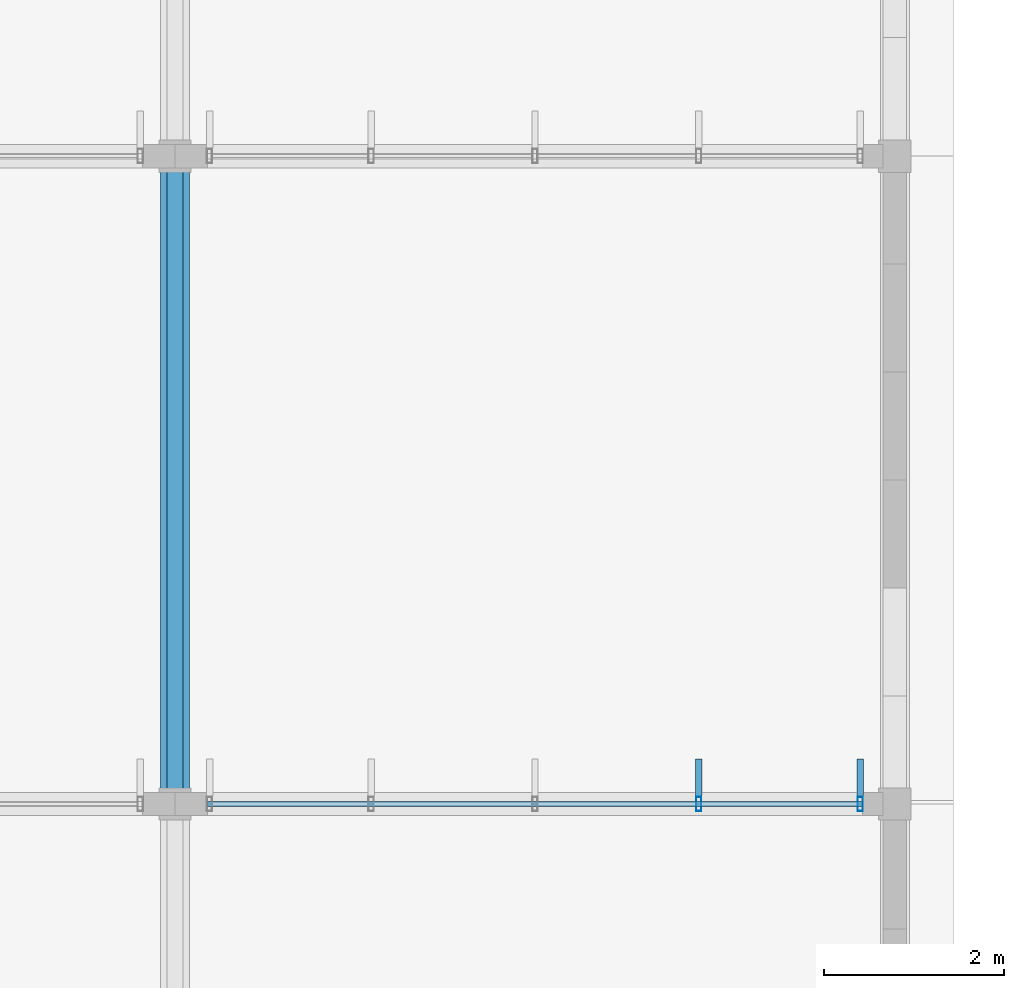
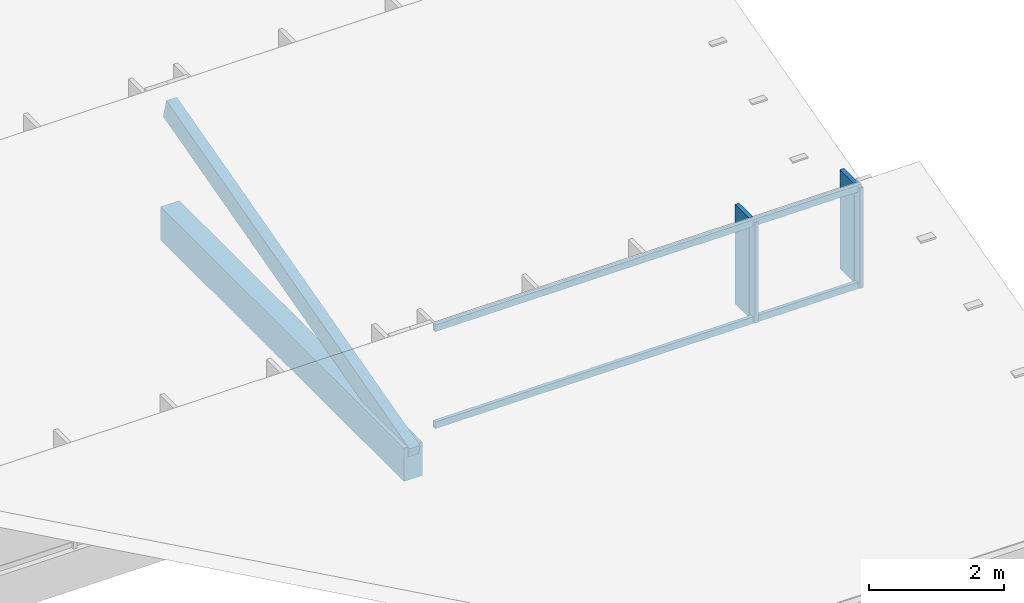
# One storey, part 11 of 94: 8 members, 1 element without a shape of its own.
"""IFC4 building model written with IfcOpenShell, lengths in metres."""

import ifcopenshell
import ifcopenshell.guid

model = None  # the IFC model being written
_history = None  # IfcOwnerHistory: only IFC2X3 demands one
_inside = {}  # id of a spatial element -> (the spatial element, [elements in it])
_under = {}  # id of a project, library or spatial element -> (it, [spatial elements below it])
_declared = {}  # id of a project -> (the project, [libraries it declares])
_typed = {}  # id of a type object -> (the type object, [elements of that type])
_made_of = {}  # id of a material, layer set ... -> (it, [elements and type objects made of it])


def new_model(schema):
    """Start an empty IFC model of exactly this schema.

    Asked for "IFC4X3", IfcOpenShell would pick the latest addendum, in which some entities
    have other attributes; the version numbers below select the first issue.
    IFC2X3 requires an IfcOwnerHistory on every rooted entity: one is made here for all.
    """
    global model, _history
    if schema == "IFC4X3":
        model = ifcopenshell.file(schema_version=(4, 3, 0, 0))
    else:
        model = ifcopenshell.file(schema=schema)
    _inside.clear()
    _under.clear()
    _declared.clear()
    _typed.clear()
    _made_of.clear()
    _history = None
    if model.schema == "IFC2X3":
        org = make("IfcOrganization", Name="unknown")
        user = make(
            "IfcPersonAndOrganization",
            ThePerson=make("IfcPerson", FamilyName="unknown"),
            TheOrganization=org,
        )
        app = make(
            "IfcApplication",
            ApplicationDeveloper=org,
            Version="unknown",
            ApplicationFullName="unknown",
            ApplicationIdentifier="unknown",
        )
        _history = make(
            "IfcOwnerHistory",
            OwningUser=user,
            OwningApplication=app,
            ChangeAction="ADDED",
            CreationDate=0,
        )
    return model


def make(cls, **values):
    """One entity of the class cls with the attributes given. An attribute that is None is left unset."""
    return model.create_entity(
        cls, **{name: value for name, value in values.items() if value is not None}
    )


def rooted(cls, **values):
    """An entity with a GlobalId (a new one), such as an element, a storey or a relation."""
    return make(cls, GlobalId=ifcopenshell.guid.new(), OwnerHistory=_history, **values)


def si_unit(unit_type, name, prefix=None):
    """IfcSIUnit, for example si_unit("LENGTHUNIT", "METRE", prefix="MILLI")."""
    return make("IfcSIUnit", UnitType=unit_type, Prefix=prefix, Name=name)


def assignment(units):
    """IfcUnitAssignment: the units of a project."""
    return None if units is None else make("IfcUnitAssignment", Units=units)


def point(xyz):
    """IfcCartesianPoint."""
    return None if xyz is None else make("IfcCartesianPoint", Coordinates=xyz)


def direction(xyz):
    """IfcDirection."""
    return None if xyz is None else make("IfcDirection", DirectionRatios=xyz)


def frame(location, z_axis=None, x_axis=None):
    """IfcAxis2Placement3D, a coordinate frame: its origin and axes. An axis left out is left unset."""
    return make(
        "IfcAxis2Placement3D",
        Location=point(location),
        Axis=direction(z_axis),
        RefDirection=direction(x_axis),
    )


def frame_2d(location, x_axis=None):
    """IfcAxis2Placement2D, a coordinate frame in the plane: its origin and x axis."""
    return make(
        "IfcAxis2Placement2D", Location=point(location), RefDirection=direction(x_axis)
    )


def origin():
    """The frame at (0, 0, 0) with its axes left unset."""
    return frame((0.0, 0.0, 0.0))


def origin_2d():
    """The frame at (0, 0) in the plane with its x axis left unset."""
    return frame_2d((0.0, 0.0))


def place(relative_to, where):
    """IfcLocalPlacement: puts the frame where relative to a parent placement (None: the world)."""
    return make(
        "IfcLocalPlacement", PlacementRelTo=relative_to, RelativePlacement=where
    )


def context(
    kind, dimensions, precision=None, world=None, true_north=None, identifier=None
):
    """IfcGeometricRepresentationContext, for example the 3D "Model" context."""
    return make(
        "IfcGeometricRepresentationContext",
        ContextIdentifier=identifier,
        ContextType=kind,
        CoordinateSpaceDimension=dimensions,
        Precision=precision,
        WorldCoordinateSystem=world,
        TrueNorth=true_north,
    )


def subcontext(parent, identifier, kind, view, scale=None):
    """IfcGeometricRepresentationSubContext, for example "Body" below "Model"."""
    return make(
        "IfcGeometricRepresentationSubContext",
        ContextIdentifier=identifier,
        ContextType=kind,
        ParentContext=parent,
        TargetScale=scale,
        TargetView=view,
    )


def project(units=None, contexts=None):
    """IfcProject with its units and contexts."""
    return rooted(
        "IfcProject",
        Name="project",
        RepresentationContexts=contexts,
        UnitsInContext=assignment(units),
    )


def spatial(cls, under=None, at=None, **own):
    """A site, building, storey or space (cls), placed at a placement, below another one or the project."""
    s = rooted(cls, ObjectPlacement=at, **own)
    if under is not None:
        _under.setdefault(under.id(), (under, []))[1].append(s)
    return s


def profile(cls, at=None, kind="AREA", **sizes):
    """A parametric profile (cls). Its sizes go by their IFC names, for example OverallWidth=200.0."""
    return make(cls, ProfileType=kind, Position=at, **sizes)


def rectangle(**sizes):
    """IfcRectangleProfileDef."""
    return profile("IfcRectangleProfileDef", **sizes)


def hollow_rectangle(**sizes):
    """IfcRectangleHollowProfileDef."""
    return profile("IfcRectangleHollowProfileDef", **sizes)


def extrude(swept, where, along, depth):
    """IfcExtrudedAreaSolid: the profile swept, set in the frame where, extruded along a direction by depth."""
    return make(
        "IfcExtrudedAreaSolid",
        SweptArea=swept,
        Position=where,
        ExtrudedDirection=direction(along),
        Depth=depth,
    )


def shape(context_of_items, identifier, shape_type, items):
    """IfcShapeRepresentation: the items that make up one representation, for example the "Body"."""
    return make(
        "IfcShapeRepresentation",
        ContextOfItems=context_of_items,
        RepresentationIdentifier=identifier,
        RepresentationType=shape_type,
        Items=items,
    )


def material(Name=None, Category=None):
    """IfcMaterial."""
    return make("IfcMaterial", Name=Name, Category=Category)


def material_profile(
    of_material, cross_section, Name=None, Category=None, Priority=None
):
    """IfcMaterialProfile: a cross section and its material."""
    return make(
        "IfcMaterialProfile",
        Name=Name,
        Material=of_material,
        Profile=cross_section,
        Priority=Priority,
        Category=Category,
    )


def profile_set(profiles, Name=None, composite=None):
    """IfcMaterialProfileSet."""
    return make(
        "IfcMaterialProfileSet",
        Name=Name,
        MaterialProfiles=profiles,
        CompositeProfile=composite,
    )


def made_of(thing, what):
    """Note that an element or type object is made of a material, layer set ...; save() writes the relation."""
    if what is not None:
        _made_of.setdefault(what.id(), (what, []))[1].append(thing)
    return thing


def type_object(cls, material=None, **own):
    """A type object (cls), such as IfcWallType, which elements share."""
    return made_of(rooted(cls, **own), material)


def element(
    cls,
    number,
    at=None,
    inside=None,
    cuts=None,
    type_object=None,
    material=None,
    context=None,
    identifier="Body",
    shape_type=None,
    held_by="IfcProductDefinitionShape",
    body=None,
    shapes=None,
    **own,
):
    """One element of the class cls, such as IfcWall. Its Tag is "e" and its number.

    at: its placement. inside: the storey or other place that contains it. cuts: it is an
    opening in that element (IfcRelVoidsElement). A single representation is given by context,
    identifier, shape_type and body (its items); several are given by shapes. held_by: the class
    of the entity that holds the representations. save() writes the other relations.
    """
    e = rooted(cls, Tag="e%d" % number, ObjectPlacement=at, **own)
    if body is not None:
        shapes = [shape(context, identifier, shape_type, body)]
    if shapes is not None:
        e.Representation = make(held_by, Representations=shapes)
    if inside is not None:
        _inside.setdefault(inside.id(), (inside, []))[1].append(e)
    if cuts is not None:
        rooted(
            "IfcRelVoidsElement", RelatingBuildingElement=cuts, RelatedOpeningElement=e
        )
    if type_object is not None:
        _typed.setdefault(type_object.id(), (type_object, []))[1].append(e)
    return made_of(e, material)


def aggregate(whole, parts):
    """IfcRelAggregates: a whole, such as a stair, and the parts it consists of."""
    return rooted("IfcRelAggregates", RelatingObject=whole, RelatedObjects=parts)


def save(model, path):
    """Write the relations noted so far, then the file.

    IfcRelAggregates (storeys below a building ...), IfcRelContainedInSpatialStructure (elements
    in a storey), IfcRelDefinesByType, IfcRelAssociatesMaterial and IfcRelDeclares: one each for
    every whole, place, type object, material and project.
    """
    for whole, parts in _under.values():
        aggregate(whole, parts)
    for where, things in _inside.values():
        rooted(
            "IfcRelContainedInSpatialStructure",
            RelatedElements=things,
            RelatingStructure=where,
        )
    for kind, things in _typed.values():
        rooted("IfcRelDefinesByType", RelatedObjects=things, RelatingType=kind)
    for what, things in _made_of.values():
        rooted("IfcRelAssociatesMaterial", RelatedObjects=things, RelatingMaterial=what)
    for by, libraries in _declared.values():
        rooted("IfcRelDeclares", RelatingContext=by, RelatedDefinitions=libraries)
    model.write(path)


model = new_model("IFC4")

# Units and contexts
model_context = context("Model", 3, precision=1e-05, world=origin(), true_north=direction((0.0, 1.0)))
body_context = subcontext(model_context, "Body", "Model", "MODEL_VIEW")
ifc_project = project(units=[si_unit("LENGTHUNIT", "METRE"), si_unit("AREAUNIT", "SQUARE_METRE"), si_unit("VOLUMEUNIT", "CUBIC_METRE"), si_unit("PLANEANGLEUNIT", "RADIAN"), si_unit("MASSUNIT", "GRAM", prefix="KILO")], contexts=[model_context])

# Site, building, storey
site_placement = place(None, origin())
site = spatial("IfcSite", under=ifc_project, at=site_placement, CompositionType="ELEMENT")
building_placement = place(site_placement, origin())
building = spatial("IfcBuilding", under=site, at=building_placement, Name="Chiffa Square Polytechnic", CompositionType="ELEMENT")
storey_placement = place(building_placement, frame((0.0, 0.0, 18.0)))
storey = spatial("IfcBuildingStorey", under=building, at=storey_placement, Name="L04", CompositionType="ELEMENT", Elevation=18.0)

# Curtain wall, members
ifc_material_1 = material(Name="Aluminium EN AW-6060 T66 and glulam shading", Category="wood")
curtain_wall_type = type_object("IfcCurtainWallType", Name="CW-VERT-360X380", PredefinedType="USERDEFINED", material=ifc_material_1)
curtain_wall_placement = place(storey_placement, origin())
curtain_wall = element("IfcCurtainWall", 1, at=curtain_wall_placement, inside=storey, type_object=curtain_wall_type, Name="Curtain wall CW-V6-SAW1-4", ObjectType="CURTAIN WALL", PredefinedType="USERDEFINED")
ifc_material_2 = material(Name="Aluminium EN AW-6060 T66", Category="aluminium")
ifc_material_profile_1 = material_profile(ifc_material_2, hollow_rectangle(XDim=0.06005859375, YDim=0.159912109375, WallThickness=0.00390625, at=origin_2d()), Name="ALU 60x160x4")
ifc_profile_set_1 = profile_set([ifc_material_profile_1], Name="Aluminium EN AW-6060 T66")
member_type_1 = type_object("IfcMemberType", Name="CWM-ALU-65X150", PredefinedType="MULLION", material=ifc_profile_set_1)
member_1_placement = place(storey_placement, frame((31.614990234375, 43.800048828125, 0.699951171875), z_axis=(0.0, 0.0, 1.0), x_axis=(1.0, 0.0, 0.0)))
member_1 = element("IfcMember", 2, at=member_1_placement, type_object=member_type_1, Name="Curtain wall mullion CW-V6-SAW1-4-M00", PredefinedType="MULLION", context=body_context, shape_type="SweptSolid", body=[
    extrude(hollow_rectangle(XDim=0.06005859375, YDim=0.159912109375, WallThickness=0.00390625, at=origin_2d()), origin(), (0.0, 0.0, 1.0), 1.81201171875),
])
member_2_placement = place(storey_placement, frame((29.820068359375, 43.800048828125, 0.699951171875), z_axis=(0.0, 0.0, 1.0), x_axis=(1.0, 0.0, 0.0)))
member_2 = element("IfcMember", 3, at=member_2_placement, type_object=member_type_1, Name="Curtain wall mullion CW-V6-SAW1-4-M01", PredefinedType="MULLION", context=body_context, shape_type="SweptSolid", body=[
    extrude(hollow_rectangle(XDim=0.06005859375, YDim=0.159912109375, WallThickness=0.00390625, at=origin_2d()), origin(), (0.0, 0.0, 1.0), 1.81201171875),
])
ifc_material_3 = material(Name="Glulam GL28h", Category="wood")
ifc_material_profile_2 = material_profile(ifc_material_3, rectangle(XDim=0.070068359375, YDim=0.419921875, at=origin_2d()), Name="GL28h 70x420")
ifc_profile_set_2 = profile_set([ifc_material_profile_2], Name="Glulam GL28h")
member_type_2 = type_object("IfcMemberType", Name="CWM-GL-70X420", PredefinedType="MULLION", material=ifc_profile_set_2)
member_3_placement = place(storey_placement, frame((31.614990234375, 44.092041015625, 0.7099609375), z_axis=(0.0, 0.0, 1.0), x_axis=(-1.0, 0.0, 0.0)))
member_3 = element("IfcMember", 4, at=member_3_placement, type_object=member_type_2, Name="Exterior glulam solar fin CW-V6-SAW1-4-FN00", PredefinedType="MULLION", context=body_context, shape_type="SweptSolid", body=[
    extrude(rectangle(XDim=0.070068359375, YDim=0.419921875, at=origin_2d()), origin(), (0.0, 0.0, 1.0), 1.7919921875),
])
member_4_placement = place(storey_placement, frame((29.820068359375, 44.092041015625, 0.7099609375), z_axis=(0.0, 0.0, 1.0), x_axis=(-1.0, 0.0, 0.0)))
member_4 = element("IfcMember", 5, at=member_4_placement, type_object=member_type_2, Name="Exterior glulam solar fin CW-V6-SAW1-4-FN01", PredefinedType="MULLION", context=body_context, shape_type="SweptSolid", body=[
    extrude(rectangle(XDim=0.070068359375, YDim=0.419921875, at=origin_2d()), origin(), (0.0, 0.0, 1.0), 1.7919921875),
])
ifc_material_profile_3 = material_profile(ifc_material_2, hollow_rectangle(XDim=0.06005859375, YDim=0.1201171875, WallThickness=0.00390625, at=origin_2d()), Name="ALU 60x120x4")
ifc_profile_set_3 = profile_set([ifc_material_profile_3], Name="Aluminium EN AW-6060 T66")
member_type_3 = type_object("IfcMemberType", Name="CWT-ALU-65X120", PredefinedType="USERDEFINED", material=ifc_profile_set_3)
member_5_placement = place(storey_placement, frame((31.64208984375, 43.800048828125, 0.72998046875), z_axis=(-1.0, 0.0, 0.0), x_axis=(0.0, -1.0, 0.0)))
member_5 = element("IfcMember", 6, at=member_5_placement, type_object=member_type_3, Name="Curtain wall transom CW-V6-SAW1-4-T01", ObjectType="TRANSOM", PredefinedType="USERDEFINED", context=body_context, shape_type="SweptSolid", body=[
    extrude(hollow_rectangle(XDim=0.06005859375, YDim=0.1201171875, WallThickness=0.00390625, at=origin_2d()), origin(), (0.0, 0.0, 1.0), 7.2841796875),
])
member_6_placement = place(storey_placement, frame((31.64208984375, 43.800048828125, 2.48193359375), z_axis=(-1.0, 0.0, 0.0), x_axis=(0.0, -1.0, 0.0)))
member_6 = element("IfcMember", 7, at=member_6_placement, type_object=member_type_3, Name="Curtain wall transom CW-V6-SAW1-4-T02", ObjectType="TRANSOM", PredefinedType="USERDEFINED", context=body_context, shape_type="SweptSolid", body=[
    extrude(hollow_rectangle(XDim=0.06005859375, YDim=0.1201171875, WallThickness=0.00390625, at=origin_2d()), origin(), (0.0, 0.0, 1.0), 7.2841796875),
])
aggregate(curtain_wall, [member_1, member_3, member_2, member_4, member_5, member_6])

# Members
ifc_material_4 = material(Name="Glulam GL32c", Category="wood")
ifc_material_profile_4 = material_profile(ifc_material_4, rectangle(XDim=0.320068359375, YDim=0.60009765625, at=origin_2d()), Name="GL32c 320x600")
ifc_profile_set_4 = profile_set([ifc_material_profile_4], Name="Glulam GL32c")
member_type_4 = type_object("IfcMemberType", Name="MEM-CHORD-GL320", PredefinedType="CHORD", material=ifc_profile_set_4)
member_7_placement = place(storey_placement, frame((24.0, 43.800048828125, 0.179931640625), z_axis=(0.0, 1.0, 0.0), x_axis=(-1.0, 0.0, 0.0)))
element("IfcMember", 8, at=member_7_placement, inside=storey, type_object=member_type_4, Name="Studio sawtooth tie chord TCB-V6-SAW-009", PredefinedType="CHORD", context=body_context, shape_type="SweptSolid", body=[
    extrude(rectangle(XDim=0.320068359375, YDim=0.60009765625, at=origin_2d()), origin(), (0.0, 0.0, 1.0), 7.199951171875),
])
ifc_material_profile_5 = material_profile(ifc_material_3, rectangle(XDim=0.179931640625, YDim=0.360107421875, at=origin_2d()), Name="GL28h 180x360")
ifc_profile_set_5 = profile_set([ifc_material_profile_5], Name="Glulam GL28h")
member_type_5 = type_object("IfcMemberType", Name="MEM-RFT-GL180", PredefinedType="RAFTER", material=ifc_profile_set_5)
member_8_placement = place(storey_placement, frame((24.0, 43.800048828125, 0.300048828125), z_axis=(0.0, 0.965934748059, 0.258785746309), x_axis=(-1.0, 0.0, 0.0)))
element("IfcMember", 9, at=member_8_placement, inside=storey, type_object=member_type_5, Name="Studio sawtooth glulam rafter RF-V6-L04-009", PredefinedType="RAFTER", context=body_context, shape_type="SweptSolid", body=[
    extrude(rectangle(XDim=0.179931640625, YDim=0.360107421875, at=origin_2d()), origin(), (0.0, 0.0, 1.0), 7.453857421875),
])

save(model, "model.ifc")
